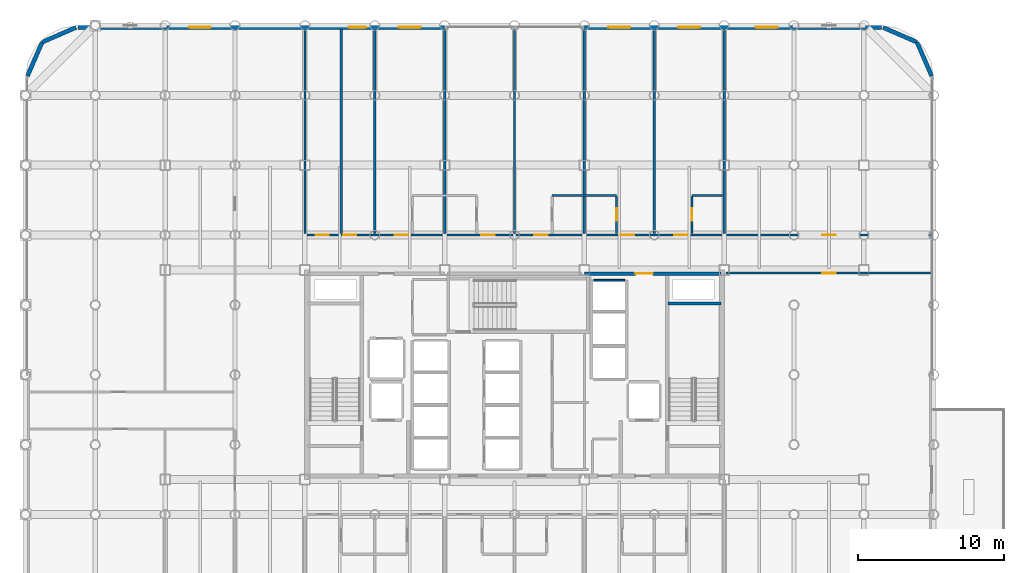
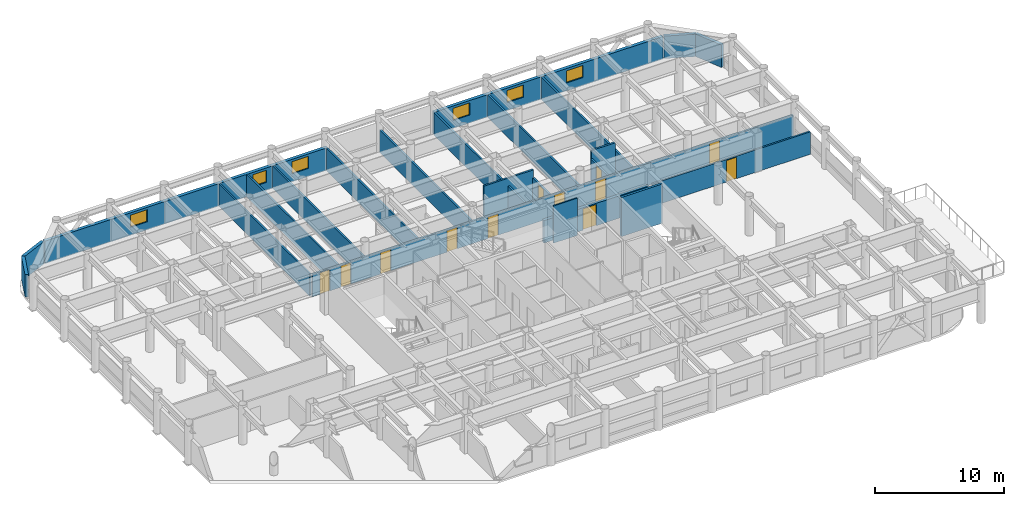
# One storey, part 20 of 23: 23 walls, 12 doors, 6 windows, 18 openings.
"""IFC4 building model written with IfcOpenShell, lengths in metres."""

from ifc_helpers import new_model, si_unit, direction, frame, frame_2d, origin, place, context, subcontext, project, spatial, rectangle, extrude, material, layer, layer_set, type_object, element, fill, save


model = new_model("IFC4")

# Units and contexts
model_context = context("Model", 3, precision=1e-05, world=origin(), true_north=direction((0.0, 1.0)))
body_context = subcontext(model_context, "Body", "Model", "MODEL_VIEW")
ifc_project = project(units=[si_unit("LENGTHUNIT", "METRE"), si_unit("AREAUNIT", "SQUARE_METRE"), si_unit("VOLUMEUNIT", "CUBIC_METRE"), si_unit("PLANEANGLEUNIT", "RADIAN"), si_unit("MASSUNIT", "GRAM", prefix="KILO")], contexts=[model_context])

# Site, building, storey
site_placement = place(None, origin())
site = spatial("IfcSite", under=ifc_project, at=site_placement, CompositionType="ELEMENT")
building_placement = place(site_placement, origin())
building = spatial("IfcBuilding", under=site, at=building_placement, Name="Kallvorn Hotel Tower", CompositionType="ELEMENT")
storey_placement = place(building_placement, frame((0.0, 0.0, 124.800048828125)))
storey = spatial("IfcBuildingStorey", under=building, at=storey_placement, Name="L30", CompositionType="ELEMENT", Elevation=124.800048828125)

# Wall, openings, doors
ifc_material_1 = material(Name="Fire-rated double-layer acoustic gypsum drywall EI 60")
ifc_layer_1 = layer(ifc_material_1, 0.159912109375)
ifc_layer_set_1 = layer_set([ifc_layer_1], Name="WL_DEMISE_160")
wall_type_1 = type_object("IfcWallType", Name="WL_DEMISE_160", PredefinedType="PARTITIONING", material=ifc_layer_set_1)
wall_1_placement = place(storey_placement, frame((-14.320068359375, 9.60009765625, 0.0), z_axis=(0.0, 0.0, 1.0), x_axis=(1.0, 0.0, 0.0)))
wall_1 = element("IfcWall", 1, at=wall_1_placement, inside=storey, type_object=wall_type_1, Name="L30 Suite 3007 Standard Twin Room Partition", PredefinedType="PARTITIONING", context=body_context, shape_type="SweptSolid", body=[
    extrude(rectangle(XDim=42.949951171875, YDim=0.159912109375, at=frame_2d((21.47509765625, 0.0))), origin(), (0.0, 0.0, 1.0), 2.119873046875),
])
opening_1_placement = place(wall_1_placement, frame((35.469970703125, 0.0, 0.0)))
opening_1 = element("IfcOpeningElement", 2, at=opening_1_placement, cuts=wall_1, Name="Opening SVD1A", PredefinedType="OPENING", context=body_context, shape_type="SweptSolid", body=[
    extrude(rectangle(XDim=0.89990234375, YDim=2.02001953125, at=frame_2d((0.449951171875, 1.010009765625))), frame((0.0, 0.094970703125, 0.0), z_axis=(0.0, -1.0, 0.0), x_axis=(1.0, 0.0, 0.0)), (0.0, 0.0, 1.0), 0.18994140625),
])
opening_2_placement = place(wall_1_placement, frame((0.669921875, 0.0, 0.0)))
opening_2 = element("IfcOpeningElement", 3, at=opening_2_placement, cuts=wall_1, Name="Opening SVD1A", PredefinedType="OPENING", context=body_context, shape_type="SweptSolid", body=[
    extrude(rectangle(XDim=0.89990234375, YDim=2.02001953125, at=frame_2d((0.449951171875, 1.010009765625))), frame((0.0, 0.094970703125, 0.0), z_axis=(0.0, -1.0, 0.0), x_axis=(1.0, 0.0, 0.0)), (0.0, 0.0, 1.0), 0.18994140625),
])
opening_3_placement = place(wall_1_placement, frame((2.56005859375, 0.0, 0.0)))
opening_3 = element("IfcOpeningElement", 4, at=opening_3_placement, cuts=wall_1, Name="Opening SVD1A", PredefinedType="OPENING", context=body_context, shape_type="SweptSolid", body=[
    extrude(rectangle(XDim=0.89990234375, YDim=2.02001953125, at=frame_2d((0.449951171875, 1.010009765625))), frame((0.0, 0.094970703125, 0.0), z_axis=(0.0, -1.0, 0.0), x_axis=(1.0, 0.0, 0.0)), (0.0, 0.0, 1.0), 0.18994140625),
])
opening_4_placement = place(wall_1_placement, frame((6.090087890625, 0.0, 0.0)))
opening_4 = element("IfcOpeningElement", 5, at=opening_4_placement, cuts=wall_1, Name="Opening GD1A", PredefinedType="OPENING", context=body_context, shape_type="SweptSolid", body=[
    extrude(rectangle(XDim=0.919921875, YDim=2.02001953125, at=frame_2d((0.4599609375, 1.010009765625))), frame((0.0, 0.094970703125, 0.0), z_axis=(0.0, -1.0, 0.0), x_axis=(1.0, 0.0, 0.0)), (0.0, 0.0, 1.0), 0.18994140625),
])
opening_5_placement = place(wall_1_placement, frame((12.030029296875, 0.0, 0.0)))
opening_5 = element("IfcOpeningElement", 6, at=opening_5_placement, cuts=wall_1, Name="Opening GD1A", PredefinedType="OPENING", context=body_context, shape_type="SweptSolid", body=[
    extrude(rectangle(XDim=0.919921875, YDim=2.02001953125, at=frame_2d((0.4599609375, 1.010009765625))), frame((0.0, 0.094970703125, 0.0), z_axis=(0.0, -1.0, 0.0), x_axis=(1.0, 0.0, 0.0)), (0.0, 0.0, 1.0), 0.18994140625),
])
opening_6_placement = place(wall_1_placement, frame((15.68994140625, 0.0, 0.0)))
opening_6 = element("IfcOpeningElement", 7, at=opening_6_placement, cuts=wall_1, Name="Opening GD1A", PredefinedType="OPENING", context=body_context, shape_type="SweptSolid", body=[
    extrude(rectangle(XDim=0.919921875, YDim=2.02001953125, at=frame_2d((0.4599609375, 1.010009765625))), frame((0.0, 0.094970703125, 0.0), z_axis=(0.0, -1.0, 0.0), x_axis=(1.0, 0.0, 0.0)), (0.0, 0.0, 1.0), 0.18994140625),
])
opening_7_placement = place(wall_1_placement, frame((21.6298828125, 0.0, 0.0)))
opening_7 = element("IfcOpeningElement", 8, at=opening_7_placement, cuts=wall_1, Name="Opening GD1A", PredefinedType="OPENING", context=body_context, shape_type="SweptSolid", body=[
    extrude(rectangle(XDim=0.919921875, YDim=2.02001953125, at=frame_2d((0.4599609375, 1.010009765625))), frame((0.0, 0.094970703125, 0.0), z_axis=(0.0, -1.0, 0.0), x_axis=(1.0, 0.0, 0.0)), (0.0, 0.0, 1.0), 0.18994140625),
])
opening_8_placement = place(wall_1_placement, frame((25.2900390625, 0.0, 0.0)))
opening_8 = element("IfcOpeningElement", 9, at=opening_8_placement, cuts=wall_1, Name="Opening GD1A", PredefinedType="OPENING", context=body_context, shape_type="SweptSolid", body=[
    extrude(rectangle(XDim=0.919921875, YDim=2.02001953125, at=frame_2d((0.4599609375, 1.010009765625))), frame((0.0, 0.094970703125, 0.0), z_axis=(0.0, -1.0, 0.0), x_axis=(1.0, 0.0, 0.0)), (0.0, 0.0, 1.0), 0.18994140625),
])
ifc_material_2 = material(Name="Solid-core walnut veneer fire-rated timber door leaf", Category="wood")
door_type_1 = type_object("IfcDoorType", Name="DR_GUEST_920x2020", OperationType="NOTDEFINED", PredefinedType="DOOR", material=ifc_material_2)
door_1_placement = place(opening_4_placement, origin())
door_1 = element("IfcDoor", 10, at=door_1_placement, inside=storey, type_object=door_type_1, Name="L30 Suite 3007 Standard Twin Room Door", OperationType="SINGLE_SWING_RIGHT", OverallHeight=2.02001953125, OverallWidth=0.919921875, PredefinedType="DOOR", context=body_context, shape_type="SweptSolid", body=[
    extrude(rectangle(XDim=0.919921875, YDim=2.02001953125, at=frame_2d((0.4599609375, 1.010009765625))), frame((0.0, 0.02490234375, 0.0), z_axis=(0.0, -1.0, 0.0), x_axis=(1.0, 0.0, 0.0)), (0.0, 0.0, 1.0), 0.050048828125),
])
fill(opening_4, door_1)
door_2_placement = place(opening_5_placement, origin())
door_2 = element("IfcDoor", 11, at=door_2_placement, inside=storey, type_object=door_type_1, Name="L30 Suite 3008 Standard Twin Room Door", OperationType="SINGLE_SWING_RIGHT", OverallHeight=2.02001953125, OverallWidth=0.919921875, PredefinedType="DOOR", context=body_context, shape_type="SweptSolid", body=[
    extrude(rectangle(XDim=0.919921875, YDim=2.02001953125, at=frame_2d((0.4599609375, 1.010009765625))), frame((0.0, 0.02490234375, 0.0), z_axis=(0.0, -1.0, 0.0), x_axis=(1.0, 0.0, 0.0)), (0.0, 0.0, 1.0), 0.050048828125),
])
fill(opening_5, door_2)
door_3_placement = place(opening_6_placement, origin())
door_3 = element("IfcDoor", 12, at=door_3_placement, inside=storey, type_object=door_type_1, Name="L30 Suite 3009 Standard Twin Room Door", OperationType="SINGLE_SWING_LEFT", OverallHeight=2.02001953125, OverallWidth=0.919921875, PredefinedType="DOOR", context=body_context, shape_type="SweptSolid", body=[
    extrude(rectangle(XDim=0.919921875, YDim=2.02001953125, at=frame_2d((0.4599609375, 1.010009765625))), frame((0.0, 0.02490234375, 0.0), z_axis=(0.0, -1.0, 0.0), x_axis=(1.0, 0.0, 0.0)), (0.0, 0.0, 1.0), 0.050048828125),
])
fill(opening_6, door_3)
door_4_placement = place(opening_7_placement, origin())
door_4 = element("IfcDoor", 13, at=door_4_placement, inside=storey, type_object=door_type_1, Name="L30 Suite 3010 Standard Twin Room Door", OperationType="SINGLE_SWING_RIGHT", OverallHeight=2.02001953125, OverallWidth=0.919921875, PredefinedType="DOOR", context=body_context, shape_type="SweptSolid", body=[
    extrude(rectangle(XDim=0.919921875, YDim=2.02001953125, at=frame_2d((0.4599609375, 1.010009765625))), frame((0.0, 0.02490234375, 0.0), z_axis=(0.0, -1.0, 0.0), x_axis=(1.0, 0.0, 0.0)), (0.0, 0.0, 1.0), 0.050048828125),
])
fill(opening_7, door_4)
door_5_placement = place(opening_8_placement, origin())
door_5 = element("IfcDoor", 14, at=door_5_placement, inside=storey, type_object=door_type_1, Name="L30 Suite 3011 Standard Twin Room Door", OperationType="SINGLE_SWING_RIGHT", OverallHeight=2.02001953125, OverallWidth=0.919921875, PredefinedType="DOOR", context=body_context, shape_type="SweptSolid", body=[
    extrude(rectangle(XDim=0.919921875, YDim=2.02001953125, at=frame_2d((0.4599609375, 1.010009765625))), frame((0.0, 0.02490234375, 0.0), z_axis=(0.0, -1.0, 0.0), x_axis=(1.0, 0.0, 0.0)), (0.0, 0.0, 1.0), 0.050048828125),
])
fill(opening_8, door_5)
ifc_material_3 = material(Name="Galvanised painted steel fire-rated door assembly", Category="steel")
door_type_2 = type_object("IfcDoorType", Name="DR_SERV_900x2020", OperationType="NOTDEFINED", PredefinedType="DOOR", material=ifc_material_3)
door_6_placement = place(opening_1_placement, origin())
door_6 = element("IfcDoor", 15, at=door_6_placement, inside=storey, type_object=door_type_2, Name="L30 L30 North-East Monserrate Banquet Hall Door", OperationType="SINGLE_SWING_LEFT", OverallHeight=2.02001953125, OverallWidth=0.89990234375, PredefinedType="DOOR", context=body_context, shape_type="SweptSolid", body=[
    extrude(rectangle(XDim=0.89990234375, YDim=2.02001953125, at=frame_2d((0.449951171875, 1.010009765625))), frame((0.0, 0.02490234375, 0.0), z_axis=(0.0, -1.0, 0.0), x_axis=(1.0, 0.0, 0.0)), (0.0, 0.0, 1.0), 0.050048828125),
])
fill(opening_1, door_6)
door_7_placement = place(opening_2_placement, origin())
door_7 = element("IfcDoor", 16, at=door_7_placement, inside=storey, type_object=door_type_2, Name="L30 Housekeeping and Linen Room Door", OperationType="SINGLE_SWING_RIGHT", OverallHeight=2.02001953125, OverallWidth=0.89990234375, PredefinedType="DOOR", context=body_context, shape_type="SweptSolid", body=[
    extrude(rectangle(XDim=0.89990234375, YDim=2.02001953125, at=frame_2d((0.449951171875, 1.010009765625))), frame((0.0, 0.02490234375, 0.0), z_axis=(0.0, -1.0, 0.0), x_axis=(1.0, 0.0, 0.0)), (0.0, 0.0, 1.0), 0.050048828125),
])
fill(opening_2, door_7)
door_8_placement = place(opening_3_placement, origin())
door_8 = element("IfcDoor", 17, at=door_8_placement, inside=storey, type_object=door_type_2, Name="L30 Guest Tea and Refreshment Bar Door", OperationType="SINGLE_SWING_LEFT", OverallHeight=2.02001953125, OverallWidth=0.89990234375, PredefinedType="DOOR", context=body_context, shape_type="SweptSolid", body=[
    extrude(rectangle(XDim=0.89990234375, YDim=2.02001953125, at=frame_2d((0.449951171875, 1.010009765625))), frame((0.0, 0.02490234375, 0.0), z_axis=(0.0, -1.0, 0.0), x_axis=(1.0, 0.0, 0.0)), (0.0, 0.0, 1.0), 0.050048828125),
])
fill(opening_3, door_8)

# Walls
wall_2_placement = place(storey_placement, frame((2.590087890625, 12.320068359375, 0.0), z_axis=(0.0, 0.0, 1.0), x_axis=(1.0, 0.0, 0.0)))
element("IfcWall", 18, at=wall_2_placement, inside=storey, type_object=wall_type_1, Name="L30 Suite 3009 Standard Twin Room Partition", PredefinedType="PARTITIONING", context=body_context, shape_type="SweptSolid", body=[
    extrude(rectangle(XDim=4.419921875, YDim=0.159912109375, at=frame_2d((2.2099609375, 0.0))), origin(), (0.0, 0.0, 1.0), 2.869873046875),
])
wall_3_placement = place(storey_placement, frame((12.18994140625, 12.320068359375, 0.0), z_axis=(0.0, 0.0, 1.0), x_axis=(1.0, 0.0, 0.0)))
element("IfcWall", 19, at=wall_3_placement, inside=storey, type_object=wall_type_1, Name="L30 Suite 3011 Standard Twin Room Partition", PredefinedType="PARTITIONING", context=body_context, shape_type="SweptSolid", body=[
    extrude(rectangle(XDim=2.130126953125, YDim=0.159912109375, at=frame_2d((1.06494140625, 0.0))), origin(), (0.0, 0.0, 1.0), 2.869873046875),
])
for number, where, z_axis, x_axis, name in (
    (20, (-9.60009765625, 9.719970703125, 0.0), (0.0, 0.0, 1.0), (0.0, 1.0, 0.0), "L30 Suite 3007 Standard Twin Room Partition"),
    (21, (-4.800048828125, 9.719970703125, 0.0), (0.0, 0.0, 1.0), (0.0, 1.0, 0.0), "L30 Suite 3007 Standard Twin Room Partition"),
):
    element("IfcWall", number, at=place(storey_placement, frame(where, z_axis=z_axis, x_axis=x_axis)), inside=storey, type_object=wall_type_1, Name=name, PredefinedType="PARTITIONING", context=body_context, shape_type="SweptSolid", body=[
        extrude(rectangle(XDim=13.989990234375, YDim=0.159912109375, at=frame_2d((6.9951171875, 0.0))), origin(), (0.0, 0.0, 1.0), 2.119873046875),
    ])
wall_4_placement = place(storey_placement, frame((0.0, 9.719970703125, 0.0), z_axis=(0.0, 0.0, 1.0), x_axis=(0.0, 1.0, 0.0)))
element("IfcWall", 22, at=wall_4_placement, inside=storey, type_object=wall_type_1, Name="L30 Suite 3008 Standard Twin Room Partition", PredefinedType="PARTITIONING", context=body_context, shape_type="SweptSolid", body=[
    extrude(rectangle(XDim=14.074951171875, YDim=0.159912109375, at=frame_2d((7.03759765625, 0.0))), origin(), (0.0, 0.0, 1.0), 2.119873046875),
])
wall_5_placement = place(storey_placement, frame((4.800048828125, 9.719970703125, 0.0), z_axis=(0.0, 0.0, 1.0), x_axis=(0.0, 1.0, 0.0)))
element("IfcWall", 23, at=wall_5_placement, inside=storey, type_object=wall_type_1, Name="L30 Suite 3009 Standard Twin Room Partition", PredefinedType="PARTITIONING", context=body_context, shape_type="SweptSolid", body=[
    extrude(rectangle(XDim=13.989990234375, YDim=0.159912109375, at=frame_2d((6.9951171875, 0.0))), origin(), (0.0, 0.0, 1.0), 2.119873046875),
])

# Wall, opening, door
wall_6_placement = place(storey_placement, frame((7.006591796875, 9.719970703125, 0.0), z_axis=(0.0, 0.0, 1.0), x_axis=(0.0, 1.0, 0.0)))
wall_6 = element("IfcWall", 24, at=wall_6_placement, inside=storey, type_object=wall_type_1, Name="L30 Suite 3010 Standard Twin Room Partition", PredefinedType="PARTITIONING", context=body_context, shape_type="SweptSolid", body=[
    extrude(rectangle(XDim=2.51513671875, YDim=0.159912109375, at=frame_2d((1.257568359375, 0.0))), origin(), (0.0, 0.0, 1.0), 2.119873046875),
])
opening_9_placement = place(wall_6_placement, frame((0.8701171875, 0.0, 0.0)))
opening_9 = element("IfcOpeningElement", 25, at=opening_9_placement, cuts=wall_6, Name="Opening BD-IA", PredefinedType="OPENING", context=body_context, shape_type="SweptSolid", body=[
    extrude(rectangle(XDim=0.860107421875, YDim=2.02001953125, at=frame_2d((0.43017578125, 1.010009765625))), frame((0.0, 0.094970703125, 0.0), z_axis=(0.0, -1.0, 0.0), x_axis=(1.0, 0.0, 0.0)), (0.0, 0.0, 1.0), 0.18994140625),
])
ifc_material_4 = material(Name="Solid-core walnut veneer fire-rated timber door leaf", Category="wood")
door_type_3 = type_object("IfcDoorType", Name="DR_BATH_860x2020", OperationType="NOTDEFINED", PredefinedType="DOOR", material=ifc_material_4)
door_9_placement = place(opening_9_placement, origin())
door_9 = element("IfcDoor", 26, at=door_9_placement, inside=storey, type_object=door_type_3, Name="L30 Suite 3010 En-Suite Bathroom Door", OperationType="SINGLE_SWING_LEFT", OverallHeight=2.02001953125, OverallWidth=0.860107421875, PredefinedType="DOOR", context=body_context, shape_type="SweptSolid", body=[
    extrude(rectangle(XDim=0.860107421875, YDim=2.02001953125, at=frame_2d((0.43017578125, 1.010009765625))), frame((0.0, 0.02490234375, 0.0), z_axis=(0.0, -1.0, 0.0), x_axis=(1.0, 0.0, 0.0)), (0.0, 0.0, 1.0), 0.050048828125),
])
fill(opening_9, door_9)

# Wall
wall_7_placement = place(storey_placement, frame((9.60009765625, 9.719970703125, 0.0), z_axis=(0.0, 0.0, 1.0), x_axis=(0.0, 1.0, 0.0)))
element("IfcWall", 27, at=wall_7_placement, inside=storey, type_object=wall_type_1, Name="L30 Suite 3010 Standard Twin Room Partition", PredefinedType="PARTITIONING", context=body_context, shape_type="SweptSolid", body=[
    extrude(rectangle(XDim=13.989990234375, YDim=0.159912109375, at=frame_2d((6.9951171875, 0.0))), origin(), (0.0, 0.0, 1.0), 2.119873046875),
])

# Wall, opening, door
wall_8_placement = place(storey_placement, frame((12.18994140625, 9.719970703125, 0.0), z_axis=(0.0, 0.0, 1.0), x_axis=(0.0, 1.0, 0.0)))
wall_8 = element("IfcWall", 28, at=wall_8_placement, inside=storey, type_object=wall_type_1, Name="L30 Suite 3011 Standard Twin Room Partition", PredefinedType="PARTITIONING", context=body_context, shape_type="SweptSolid", body=[
    extrude(rectangle(XDim=2.51513671875, YDim=0.159912109375, at=frame_2d((1.257568359375, 0.0))), origin(), (0.0, 0.0, 1.0), 2.119873046875),
])
opening_10_placement = place(wall_8_placement, frame((0.8701171875, 0.0, 0.0)))
opening_10 = element("IfcOpeningElement", 29, at=opening_10_placement, cuts=wall_8, Name="Opening BD-IA", PredefinedType="OPENING", context=body_context, shape_type="SweptSolid", body=[
    extrude(rectangle(XDim=0.860107421875, YDim=2.02001953125, at=frame_2d((0.43017578125, 1.010009765625))), frame((0.0, 0.094970703125, 0.0), z_axis=(0.0, -1.0, 0.0), x_axis=(1.0, 0.0, 0.0)), (0.0, 0.0, 1.0), 0.18994140625),
])
door_10_placement = place(opening_10_placement, origin())
door_10 = element("IfcDoor", 30, at=door_10_placement, inside=storey, type_object=door_type_3, Name="L30 Suite 3011 En-Suite Bathroom Door", OperationType="SINGLE_SWING_RIGHT", OverallHeight=2.02001953125, OverallWidth=0.860107421875, PredefinedType="DOOR", context=body_context, shape_type="SweptSolid", body=[
    extrude(rectangle(XDim=0.860107421875, YDim=2.02001953125, at=frame_2d((0.43017578125, 1.010009765625))), frame((0.0, 0.02490234375, 0.0), z_axis=(0.0, -1.0, 0.0), x_axis=(1.0, 0.0, 0.0)), (0.0, 0.0, 1.0), 0.050048828125),
])
fill(opening_10, door_10)

# Walls
wall_9_placement = place(storey_placement, frame((14.39990234375, 9.719970703125, 0.0), z_axis=(0.0, 0.0, 1.0), x_axis=(0.0, 1.0, 0.0)))
element("IfcWall", 31, at=wall_9_placement, inside=storey, type_object=wall_type_1, Name="L30 Suite 3011 Standard Twin Room Partition", PredefinedType="PARTITIONING", context=body_context, shape_type="SweptSolid", body=[
    extrude(rectangle(XDim=13.989990234375, YDim=0.159912109375, at=frame_2d((6.9951171875, 0.0))), origin(), (0.0, 0.0, 1.0), 2.119873046875),
])
ifc_material_5 = material(Name="Precast basalt-clad insulated concrete wall C40/50", Category="masonry")
ifc_layer_2 = layer(ifc_material_5, 0.280029296875)
ifc_layer_set_2 = layer_set([ifc_layer_2], Name="WL_EXT_LOGGIA_280")
wall_type_2 = type_object("IfcWallType", Name="WL_EXT_LOGGIA_280", PredefinedType="SOLIDWALL", material=ifc_layer_set_2)
wall_10_placement = place(storey_placement, frame((28.657958984375, 20.520751953125, 0.0), z_axis=(0.0, 0.0, 1.0), x_axis=(-0.398792985289, 0.917040977756, 0.0)))
element("IfcWall", 32, at=wall_10_placement, inside=storey, type_object=wall_type_2, Name="L30 Rounded Corner Exterior Wall NE1", PredefinedType="SOLIDWALL", context=body_context, shape_type="SweptSolid", body=[
    extrude(rectangle(XDim=2.536376953125, YDim=0.280029296875, at=frame_2d((1.26806640625, 0.0))), origin(), (0.0, 0.0, 1.0), 2.119873046875),
])
for number, where, z_axis, x_axis, name in (
    (33, (27.646484375, 22.8466796875, 0.0), (0.0, 0.0, 1.0), (-0.917060872934, 0.398747232384, 0.0), "L30 Rounded Corner Exterior Wall NE2"),
    (34, (-30.120849609375, 23.85791015625, 0.0), (0.0, 0.0, 1.0), (-0.917060872934, -0.398747232384, 0.0), "L30 Rounded Corner Exterior Wall NW1"),
):
    element("IfcWall", number, at=place(storey_placement, frame(where, z_axis=z_axis, x_axis=x_axis)), inside=storey, type_object=wall_type_2, Name=name, PredefinedType="SOLIDWALL", context=body_context, shape_type="SweptSolid", body=[
        extrude(rectangle(XDim=2.5361328125, YDim=0.280029296875, at=frame_2d((1.26806640625, 0.0))), origin(), (0.0, 0.0, 1.0), 2.119873046875),
    ])
wall_11_placement = place(storey_placement, frame((-32.446533203125, 22.8466796875, 0.0), z_axis=(0.0, 0.0, 1.0), x_axis=(-0.398792985289, -0.917040977756, 0.0)))
element("IfcWall", 35, at=wall_11_placement, inside=storey, type_object=wall_type_2, Name="L30 Rounded Corner Exterior Wall NW2", PredefinedType="SOLIDWALL", context=body_context, shape_type="SweptSolid", body=[
    extrude(rectangle(XDim=2.536376953125, YDim=0.280029296875, at=frame_2d((1.26806640625, 0.0))), origin(), (0.0, 0.0, 1.0), 2.119873046875),
])

# Wall, openings, windows
wall_12_placement = place(storey_placement, frame((-30.0, 23.860107421875, 0.0), z_axis=(0.0, 0.0, 1.0), x_axis=(1.0, 0.0, 0.0)))
wall_12 = element("IfcWall", 36, at=wall_12_placement, inside=storey, type_object=wall_type_2, Name="L30 Exterior Envelope Wall EW-L30-NW", PredefinedType="SOLIDWALL", context=body_context, shape_type="SweptSolid", body=[
    extrude(rectangle(XDim=25.25, YDim=0.280029296875, at=frame_2d((12.625, 0.0))), origin(), (0.0, 0.0, 1.0), 2.119873046875),
])
opening_11_placement = place(wall_12_placement, frame((7.64990234375, 0.0, 0.75)))
opening_11 = element("IfcOpeningElement", 37, at=opening_11_placement, cuts=wall_12, Name="Opening W05A", PredefinedType="OPENING", context=body_context, shape_type="SweptSolid", body=[
    extrude(rectangle(XDim=1.5, YDim=1.14990234375, at=frame_2d((0.75, 0.574951171875))), frame((0.0, 0.155029296875, 0.0), z_axis=(0.0, -1.0, 0.0), x_axis=(1.0, 0.0, 0.0)), (0.0, 0.0, 1.0), 0.31005859375),
])
opening_12_placement = place(wall_12_placement, frame((18.60009765625, 0.0, 0.75)))
opening_12 = element("IfcOpeningElement", 38, at=opening_12_placement, cuts=wall_12, Name="Opening W06A", PredefinedType="OPENING", context=body_context, shape_type="SweptSolid", body=[
    extrude(rectangle(XDim=1.199951171875, YDim=1.14990234375, at=frame_2d((0.60009765625, 0.574951171875))), frame((0.0, 0.155029296875, 0.0), z_axis=(0.0, -1.0, 0.0), x_axis=(1.0, 0.0, 0.0)), (0.0, 0.0, 1.0), 0.31005859375),
])
opening_13_placement = place(wall_12_placement, frame((22.050048828125, 0.0, 0.75)))
opening_13 = element("IfcOpeningElement", 39, at=opening_13_placement, cuts=wall_12, Name="Opening W05A", PredefinedType="OPENING", context=body_context, shape_type="SweptSolid", body=[
    extrude(rectangle(XDim=1.5, YDim=1.14990234375, at=frame_2d((0.75, 0.574951171875))), frame((0.0, 0.155029296875, 0.0), z_axis=(0.0, -1.0, 0.0), x_axis=(1.0, 0.0, 0.0)), (0.0, 0.0, 1.0), 0.31005859375),
])
ifc_material_6 = material(Name="Triple-glazed low-e acoustic solar-control dark glass", Category="glass")
window_type_1 = type_object("IfcWindowType", Name="WN_HTL_1200x1150", PartitioningType="SINGLE_PANEL", PredefinedType="WINDOW", material=ifc_material_6)
window_1_placement = place(opening_12_placement, origin())
window_1 = element("IfcWindow", 40, at=window_1_placement, inside=storey, type_object=window_type_1, Name="L30 Guestroom Exterior Window 09", OverallHeight=1.14990234375, OverallWidth=1.199951171875, PartitioningType="SINGLE_PANEL", PredefinedType="WINDOW", context=body_context, shape_type="SweptSolid", body=[
    extrude(rectangle(XDim=1.199951171875, YDim=1.14990234375, at=frame_2d((0.60009765625, 0.574951171875))), frame((0.0, 0.030029296875, 0.0), z_axis=(0.0, -1.0, 0.0), x_axis=(1.0, 0.0, 0.0)), (0.0, 0.0, 1.0), 0.06005859375),
])
fill(opening_12, window_1)
ifc_material_7 = material(Name="Double-glazed low-e solar-control dark glass", Category="glass")
window_type_2 = type_object("IfcWindowType", Name="WN_HTL_1500x1150", PartitioningType="SINGLE_PANEL", PredefinedType="WINDOW", material=ifc_material_7)
window_2_placement = place(opening_11_placement, origin())
window_2 = element("IfcWindow", 41, at=window_2_placement, inside=storey, type_object=window_type_2, Name="L30 Guestroom Exterior Window 02", OverallHeight=1.14990234375, OverallWidth=1.5, PartitioningType="SINGLE_PANEL", PredefinedType="WINDOW", context=body_context, shape_type="SweptSolid", body=[
    extrude(rectangle(XDim=1.5, YDim=1.14990234375, at=frame_2d((0.75, 0.574951171875))), frame((0.0, 0.030029296875, 0.0), z_axis=(0.0, -1.0, 0.0), x_axis=(1.0, 0.0, 0.0)), (0.0, 0.0, 1.0), 0.06005859375),
])
fill(opening_11, window_2)
window_3_placement = place(opening_13_placement, origin())
window_3 = element("IfcWindow", 42, at=window_3_placement, inside=storey, type_object=window_type_2, Name="L30 Guestroom Exterior Window 10", OverallHeight=1.14990234375, OverallWidth=1.5, PartitioningType="SINGLE_PANEL", PredefinedType="WINDOW", context=body_context, shape_type="SweptSolid", body=[
    extrude(rectangle(XDim=1.5, YDim=1.14990234375, at=frame_2d((0.75, 0.574951171875))), frame((0.0, 0.030029296875, 0.0), z_axis=(0.0, -1.0, 0.0), x_axis=(1.0, 0.0, 0.0)), (0.0, 0.0, 1.0), 0.06005859375),
])
fill(opening_13, window_3)

wall_13_placement = place(storey_placement, frame((4.75, 23.860107421875, 0.0), z_axis=(0.0, 0.0, 1.0), x_axis=(1.0, 0.0, 0.0)))
wall_13 = element("IfcWall", 43, at=wall_13_placement, inside=storey, type_object=wall_type_2, Name="L30 Exterior Envelope Wall EW-L30-NE", PredefinedType="SOLIDWALL", context=body_context, shape_type="SweptSolid", body=[
    extrude(rectangle(XDim=20.449951171875, YDim=0.280029296875, at=frame_2d((10.22509765625, 0.0))), origin(), (0.0, 0.0, 1.0), 2.119873046875),
])
opening_14_placement = place(wall_13_placement, frame((11.81689453125, 0.0, 0.75)))
opening_14 = element("IfcOpeningElement", 44, at=opening_14_placement, cuts=wall_13, Name="Opening W05A", PredefinedType="OPENING", context=body_context, shape_type="SweptSolid", body=[
    extrude(rectangle(XDim=1.5, YDim=1.14990234375, at=frame_2d((0.75, 0.574951171875))), frame((0.0, 0.155029296875, 0.0), z_axis=(0.0, -1.0, 0.0), x_axis=(1.0, 0.0, 0.0)), (0.0, 0.0, 1.0), 0.31005859375),
])
opening_15_placement = place(wall_13_placement, frame((1.699951171875, 0.0, 0.75)))
opening_15 = element("IfcOpeningElement", 45, at=opening_15_placement, cuts=wall_13, Name="Opening W05A", PredefinedType="OPENING", context=body_context, shape_type="SweptSolid", body=[
    extrude(rectangle(XDim=1.5, YDim=1.14990234375, at=frame_2d((0.75, 0.574951171875))), frame((0.0, 0.155029296875, 0.0), z_axis=(0.0, -1.0, 0.0), x_axis=(1.0, 0.0, 0.0)), (0.0, 0.0, 1.0), 0.31005859375),
])
opening_16_placement = place(wall_13_placement, frame((6.5, 0.0, 0.75)))
opening_16 = element("IfcOpeningElement", 46, at=opening_16_placement, cuts=wall_13, Name="Opening W05A", PredefinedType="OPENING", context=body_context, shape_type="SweptSolid", body=[
    extrude(rectangle(XDim=1.5, YDim=1.14990234375, at=frame_2d((0.75, 0.574951171875))), frame((0.0, 0.155029296875, 0.0), z_axis=(0.0, -1.0, 0.0), x_axis=(1.0, 0.0, 0.0)), (0.0, 0.0, 1.0), 0.31005859375),
])
window_4_placement = place(opening_14_placement, origin())
window_4 = element("IfcWindow", 47, at=window_4_placement, inside=storey, type_object=window_type_2, Name="L30 Guestroom Exterior Window 03", OverallHeight=1.14990234375, OverallWidth=1.5, PartitioningType="SINGLE_PANEL", PredefinedType="WINDOW", context=body_context, shape_type="SweptSolid", body=[
    extrude(rectangle(XDim=1.5, YDim=1.14990234375, at=frame_2d((0.75, 0.574951171875))), frame((0.0, 0.030029296875, 0.0), z_axis=(0.0, -1.0, 0.0), x_axis=(1.0, 0.0, 0.0)), (0.0, 0.0, 1.0), 0.06005859375),
])
fill(opening_14, window_4)
window_5_placement = place(opening_15_placement, origin())
window_5 = element("IfcWindow", 48, at=window_5_placement, inside=storey, type_object=window_type_2, Name="L30 Guestroom Exterior Window 11", OverallHeight=1.14990234375, OverallWidth=1.5, PartitioningType="SINGLE_PANEL", PredefinedType="WINDOW", context=body_context, shape_type="SweptSolid", body=[
    extrude(rectangle(XDim=1.5, YDim=1.14990234375, at=frame_2d((0.75, 0.574951171875))), frame((0.0, 0.030029296875, 0.0), z_axis=(0.0, -1.0, 0.0), x_axis=(1.0, 0.0, 0.0)), (0.0, 0.0, 1.0), 0.06005859375),
])
fill(opening_15, window_5)
window_6_placement = place(opening_16_placement, origin())
window_6 = element("IfcWindow", 49, at=window_6_placement, inside=storey, type_object=window_type_2, Name="L30 Guestroom Exterior Window 12", OverallHeight=1.14990234375, OverallWidth=1.5, PartitioningType="SINGLE_PANEL", PredefinedType="WINDOW", context=body_context, shape_type="SweptSolid", body=[
    extrude(rectangle(XDim=1.5, YDim=1.14990234375, at=frame_2d((0.75, 0.574951171875))), frame((0.0, 0.030029296875, 0.0), z_axis=(0.0, -1.0, 0.0), x_axis=(1.0, 0.0, 0.0)), (0.0, 0.0, 1.0), 0.06005859375),
])
fill(opening_16, window_6)

# Walls
ifc_material_8 = material(Name="Concrete C40/50", Category="concrete")
ifc_layer_3 = layer(ifc_material_8, 0.199951171875)
ifc_layer_set_3 = layer_set([ifc_layer_3], Name="WL_HOIST_200")
wall_type_3 = type_object("IfcWallType", Name="WL_HOIST_200", PredefinedType="SOLIDWALL", material=ifc_layer_set_3)
wall_14_placement = place(storey_placement, frame((10.550048828125, 4.89990234375, -0.179931640625), z_axis=(0.0, 0.0, 1.0), x_axis=(1.0, 0.0, 0.0)))
element("IfcWall", 50, at=wall_14_placement, inside=storey, type_object=wall_type_3, Name="L30 Stair ST2 North Wall", PredefinedType="SOLIDWALL", context=body_context, shape_type="SweptSolid", body=[
    extrude(rectangle(XDim=3.64990234375, YDim=0.199951171875, at=frame_2d((1.824951171875, 0.0))), origin(), (0.0, 0.0, 1.0), 3.699951171875),
])
ifc_material_9 = material(Name="Fire-rated double-layer acoustic gypsum drywall EI 60")
ifc_layer_4 = layer(ifc_material_9, 0.1201171875)
ifc_layer_set_4 = layer_set([ifc_layer_4], Name="WL_INT_120")
wall_type_4 = type_object("IfcWallType", Name="WL_INT_120", PredefinedType="PARTITIONING", material=ifc_layer_set_4)
wall_15_placement = place(storey_placement, frame((5.43994140625, 6.5, 0.0), z_axis=(0.0, 0.0, 1.0), x_axis=(1.0, 0.0, 0.0)))
element("IfcWall", 51, at=wall_15_placement, inside=storey, type_object=wall_type_4, Name="L30 OB-03 Hoistway Divider", PredefinedType="PARTITIONING", context=body_context, shape_type="SweptSolid", body=[
    extrude(rectangle(XDim=2.1201171875, YDim=0.1201171875, at=frame_2d((1.06005859375, 0.0))), origin(), (0.0, 0.0, 1.0), 3.52001953125),
])

# Wall, opening, door
ifc_material_10 = material(Name="Fire-rated double-layer acoustic gypsum drywall EI 60")
ifc_layer_5 = layer(ifc_material_10, 0.14990234375)
ifc_layer_set_5 = layer_set([ifc_layer_5], Name="WL_PART_150")
wall_type_5 = type_object("IfcWallType", Name="WL_PART_150", PredefinedType="PARTITIONING", material=ifc_layer_set_5)
wall_16_placement = place(storey_placement, frame((14.52001953125, 6.97998046875, 0.0), z_axis=(0.0, 0.0, 1.0), x_axis=(1.0, 0.0, 0.0)))
wall_16 = element("IfcWall", 52, at=wall_16_placement, inside=storey, type_object=wall_type_5, Name="L30 L30 South-East Sommelier Wine Bar Partition", PredefinedType="PARTITIONING", context=body_context, shape_type="SweptSolid", body=[
    extrude(rectangle(XDim=14.10986328125, YDim=0.14990234375, at=frame_2d((7.054931640625, 0.0))), origin(), (0.0, 0.0, 1.0), 2.119873046875),
])
opening_17_placement = place(wall_16_placement, frame((6.6298828125, 0.0, 0.0)))
opening_17 = element("IfcOpeningElement", 53, at=opening_17_placement, cuts=wall_16, Name="Opening SVD1A", PredefinedType="OPENING", context=body_context, shape_type="SweptSolid", body=[
    extrude(rectangle(XDim=0.89990234375, YDim=2.02001953125, at=frame_2d((0.449951171875, 1.010009765625))), frame((0.0, 0.08984375, 0.0), z_axis=(0.0, -1.0, 0.0), x_axis=(1.0, 0.0, 0.0)), (0.0, 0.0, 1.0), 0.179931640625),
])
door_11_placement = place(opening_17_placement, origin())
door_11 = element("IfcDoor", 54, at=door_11_placement, inside=storey, type_object=door_type_2, Name="L30 L30 South-East Sommelier Wine Bar Door", OperationType="SINGLE_SWING_LEFT", OverallHeight=2.02001953125, OverallWidth=0.89990234375, PredefinedType="DOOR", context=body_context, shape_type="SweptSolid", body=[
    extrude(rectangle(XDim=0.89990234375, YDim=2.02001953125, at=frame_2d((0.449951171875, 1.010009765625))), frame((0.0, 0.02490234375, 0.0), z_axis=(0.0, -1.0, 0.0), x_axis=(1.0, 0.0, 0.0)), (0.0, 0.0, 1.0), 0.050048828125),
])
fill(opening_17, door_11)

# Walls
for number, where, z_axis, x_axis, name in (
    (55, (-14.39990234375, 9.719970703125, 0.0), (0.0, 0.0, 1.0), (0.0, 1.0, 0.0), "L30 Housekeeping and Linen Room Partition"),
    (56, (-11.905029296875, 9.719970703125, 0.0), (0.0, 0.0, 1.0), (0.0, 1.0, 0.0), "L30 Guest Tea and Refreshment Bar Partition"),
):
    element("IfcWall", number, at=place(storey_placement, frame(where, z_axis=z_axis, x_axis=x_axis)), inside=storey, type_object=wall_type_5, Name=name, PredefinedType="PARTITIONING", context=body_context, shape_type="SweptSolid", body=[
        extrude(rectangle(XDim=13.989990234375, YDim=0.14990234375, at=frame_2d((6.9951171875, 0.0))), origin(), (0.0, 0.0, 1.0), 2.119873046875),
    ])

# Wall, opening, door
ifc_material_11 = material(Name="Concrete C40/50", Category="concrete")
ifc_layer_6 = layer(ifc_material_11, 0.25)
ifc_layer_set_6 = layer_set([ifc_layer_6], Name="WL_SHAFT_250")
wall_type_6 = type_object("IfcWallType", Name="WL_SHAFT_250", PredefinedType="SOLIDWALL", material=ifc_layer_set_6)
wall_17_placement = place(storey_placement, frame((4.800048828125, 6.949951171875, 0.0), z_axis=(0.0, 0.0, 1.0), x_axis=(1.0, 0.0, 0.0)))
wall_17 = element("IfcWall", 57, at=wall_17_placement, inside=storey, type_object=wall_type_6, Name="L30 Core North-East Wall", PredefinedType="SOLIDWALL", context=body_context, shape_type="SweptSolid", body=[
    extrude(rectangle(XDim=9.39990234375, YDim=0.25, at=frame_2d((4.699951171875, 0.0))), origin(), (0.0, 0.0, 1.0), 2.119873046875),
])
opening_18_placement = place(wall_17_placement, frame((3.5, 0.0, 0.0)))
opening_18 = element("IfcOpeningElement", 58, at=opening_18_placement, cuts=wall_17, Name="Opening FD2A", PredefinedType="OPENING", context=body_context, shape_type="SweptSolid", body=[
    extrude(rectangle(XDim=1.199951171875, YDim=2.02001953125, at=frame_2d((0.60009765625, 1.010009765625))), frame((0.0, 0.139892578125, 0.0), z_axis=(0.0, -1.0, 0.0), x_axis=(1.0, 0.0, 0.0)), (0.0, 0.0, 1.0), 0.280029296875),
])
ifc_material_12 = material(Name="Galvanised painted steel fire-rated door assembly", Category="steel")
door_type_4 = type_object("IfcDoorType", Name="DR_LOBBY_1200x2020", OperationType="DOUBLE_DOOR_SINGLE_SWING", PredefinedType="DOOR", material=ifc_material_12)
door_12_placement = place(opening_18_placement, origin())
door_12 = element("IfcDoor", 59, at=door_12_placement, inside=storey, type_object=door_type_4, Name="L30 Observatory Shuttle Lobby Door", OperationType="DOUBLE_DOOR_SINGLE_SWING", OverallHeight=2.02001953125, OverallWidth=1.199951171875, PredefinedType="DOOR", context=body_context, shape_type="SweptSolid", body=[
    extrude(rectangle(XDim=1.199951171875, YDim=2.02001953125, at=frame_2d((0.60009765625, 1.010009765625))), frame((0.0, 0.02490234375, 0.0), z_axis=(0.0, -1.0, 0.0), x_axis=(1.0, 0.0, 0.0)), (0.0, 0.0, 1.0), 0.050048828125),
])
fill(opening_18, door_12)

save(model, "model.ifc")
